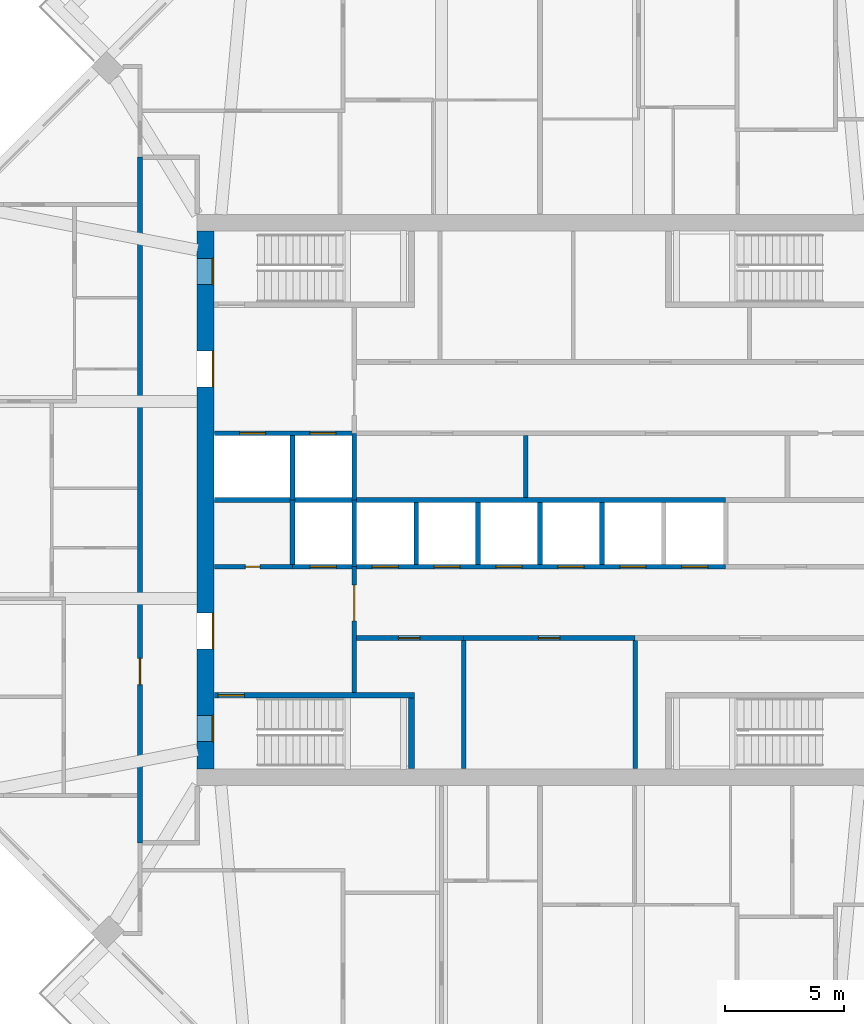
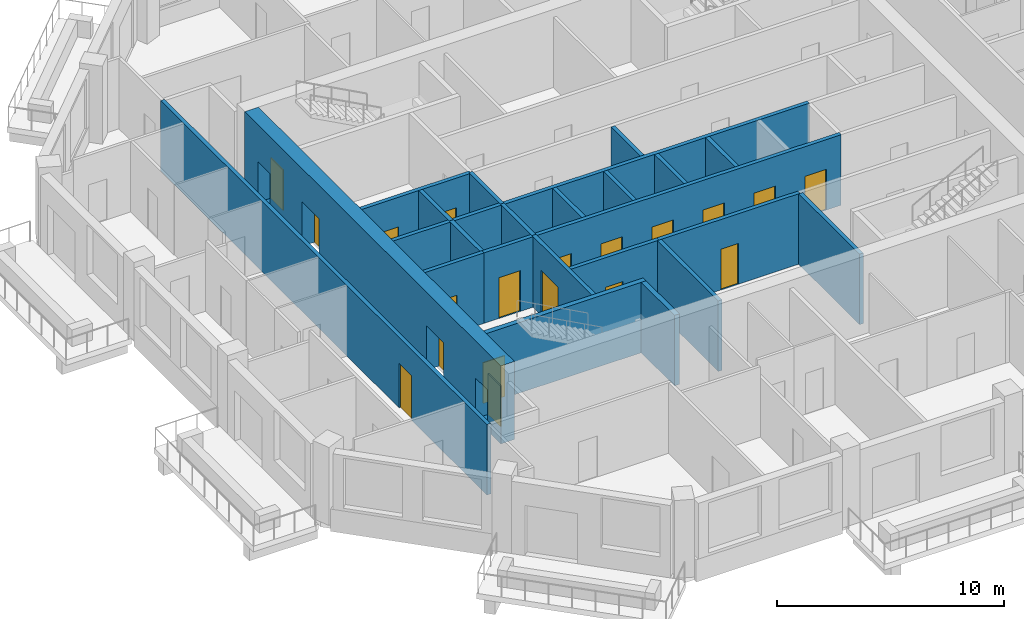
# One storey, part 4 of 12: 22 walls, 19 doors, 19 openings.
"""IFC4 building model written with IfcOpenShell, lengths in metres."""

import ifcopenshell
import ifcopenshell.guid

model = None  # the IFC model being written
_history = None  # IfcOwnerHistory: only IFC2X3 demands one
_inside = {}  # id of a spatial element -> (the spatial element, [elements in it])
_under = {}  # id of a project, library or spatial element -> (it, [spatial elements below it])
_declared = {}  # id of a project -> (the project, [libraries it declares])
_typed = {}  # id of a type object -> (the type object, [elements of that type])
_made_of = {}  # id of a material, layer set ... -> (it, [elements and type objects made of it])


def new_model(schema):
    """Start an empty IFC model of exactly this schema.

    Asked for "IFC4X3", IfcOpenShell would pick the latest addendum, in which some entities
    have other attributes; the version numbers below select the first issue.
    IFC2X3 requires an IfcOwnerHistory on every rooted entity: one is made here for all.
    """
    global model, _history
    if schema == "IFC4X3":
        model = ifcopenshell.file(schema_version=(4, 3, 0, 0))
    else:
        model = ifcopenshell.file(schema=schema)
    _inside.clear()
    _under.clear()
    _declared.clear()
    _typed.clear()
    _made_of.clear()
    _history = None
    if model.schema == "IFC2X3":
        org = make("IfcOrganization", Name="unknown")
        user = make(
            "IfcPersonAndOrganization",
            ThePerson=make("IfcPerson", FamilyName="unknown"),
            TheOrganization=org,
        )
        app = make(
            "IfcApplication",
            ApplicationDeveloper=org,
            Version="unknown",
            ApplicationFullName="unknown",
            ApplicationIdentifier="unknown",
        )
        _history = make(
            "IfcOwnerHistory",
            OwningUser=user,
            OwningApplication=app,
            ChangeAction="ADDED",
            CreationDate=0,
        )
    return model


def make(cls, **values):
    """One entity of the class cls with the attributes given. An attribute that is None is left unset."""
    return model.create_entity(
        cls, **{name: value for name, value in values.items() if value is not None}
    )


def rooted(cls, **values):
    """An entity with a GlobalId (a new one), such as an element, a storey or a relation."""
    return make(cls, GlobalId=ifcopenshell.guid.new(), OwnerHistory=_history, **values)


def si_unit(unit_type, name, prefix=None):
    """IfcSIUnit, for example si_unit("LENGTHUNIT", "METRE", prefix="MILLI")."""
    return make("IfcSIUnit", UnitType=unit_type, Prefix=prefix, Name=name)


def assignment(units):
    """IfcUnitAssignment: the units of a project."""
    return None if units is None else make("IfcUnitAssignment", Units=units)


def point(xyz):
    """IfcCartesianPoint."""
    return None if xyz is None else make("IfcCartesianPoint", Coordinates=xyz)


def direction(xyz):
    """IfcDirection."""
    return None if xyz is None else make("IfcDirection", DirectionRatios=xyz)


def frame(location, z_axis=None, x_axis=None):
    """IfcAxis2Placement3D, a coordinate frame: its origin and axes. An axis left out is left unset."""
    return make(
        "IfcAxis2Placement3D",
        Location=point(location),
        Axis=direction(z_axis),
        RefDirection=direction(x_axis),
    )


def frame_2d(location, x_axis=None):
    """IfcAxis2Placement2D, a coordinate frame in the plane: its origin and x axis."""
    return make(
        "IfcAxis2Placement2D", Location=point(location), RefDirection=direction(x_axis)
    )


def origin():
    """The frame at (0, 0, 0) with its axes left unset."""
    return frame((0.0, 0.0, 0.0))


def place(relative_to, where):
    """IfcLocalPlacement: puts the frame where relative to a parent placement (None: the world)."""
    return make(
        "IfcLocalPlacement", PlacementRelTo=relative_to, RelativePlacement=where
    )


def context(
    kind, dimensions, precision=None, world=None, true_north=None, identifier=None
):
    """IfcGeometricRepresentationContext, for example the 3D "Model" context."""
    return make(
        "IfcGeometricRepresentationContext",
        ContextIdentifier=identifier,
        ContextType=kind,
        CoordinateSpaceDimension=dimensions,
        Precision=precision,
        WorldCoordinateSystem=world,
        TrueNorth=true_north,
    )


def subcontext(parent, identifier, kind, view, scale=None):
    """IfcGeometricRepresentationSubContext, for example "Body" below "Model"."""
    return make(
        "IfcGeometricRepresentationSubContext",
        ContextIdentifier=identifier,
        ContextType=kind,
        ParentContext=parent,
        TargetScale=scale,
        TargetView=view,
    )


def project(units=None, contexts=None):
    """IfcProject with its units and contexts."""
    return rooted(
        "IfcProject",
        Name="project",
        RepresentationContexts=contexts,
        UnitsInContext=assignment(units),
    )


def spatial(cls, under=None, at=None, **own):
    """A site, building, storey or space (cls), placed at a placement, below another one or the project."""
    s = rooted(cls, ObjectPlacement=at, **own)
    if under is not None:
        _under.setdefault(under.id(), (under, []))[1].append(s)
    return s


def profile(cls, at=None, kind="AREA", **sizes):
    """A parametric profile (cls). Its sizes go by their IFC names, for example OverallWidth=200.0."""
    return make(cls, ProfileType=kind, Position=at, **sizes)


def rectangle(**sizes):
    """IfcRectangleProfileDef."""
    return profile("IfcRectangleProfileDef", **sizes)


def extrude(swept, where, along, depth):
    """IfcExtrudedAreaSolid: the profile swept, set in the frame where, extruded along a direction by depth."""
    return make(
        "IfcExtrudedAreaSolid",
        SweptArea=swept,
        Position=where,
        ExtrudedDirection=direction(along),
        Depth=depth,
    )


def shape(context_of_items, identifier, shape_type, items):
    """IfcShapeRepresentation: the items that make up one representation, for example the "Body"."""
    return make(
        "IfcShapeRepresentation",
        ContextOfItems=context_of_items,
        RepresentationIdentifier=identifier,
        RepresentationType=shape_type,
        Items=items,
    )


def material(Name=None, Category=None):
    """IfcMaterial."""
    return make("IfcMaterial", Name=Name, Category=Category)


def layer(
    of_material, thickness, ventilated=None, Name=None, Category=None, Priority=None
):
    """IfcMaterialLayer: one layer of a wall or slab, of a material (None: an air gap)."""
    return make(
        "IfcMaterialLayer",
        Material=of_material,
        LayerThickness=thickness,
        IsVentilated=ventilated,
        Name=Name,
        Category=Category,
        Priority=Priority,
    )


def layer_set(layers, Name=None):
    """IfcMaterialLayerSet."""
    return make("IfcMaterialLayerSet", MaterialLayers=layers, LayerSetName=Name)


def made_of(thing, what):
    """Note that an element or type object is made of a material, layer set ...; save() writes the relation."""
    if what is not None:
        _made_of.setdefault(what.id(), (what, []))[1].append(thing)
    return thing


def type_object(cls, material=None, **own):
    """A type object (cls), such as IfcWallType, which elements share."""
    return made_of(rooted(cls, **own), material)


def element(
    cls,
    number,
    at=None,
    inside=None,
    cuts=None,
    type_object=None,
    material=None,
    context=None,
    identifier="Body",
    shape_type=None,
    held_by="IfcProductDefinitionShape",
    body=None,
    shapes=None,
    **own,
):
    """One element of the class cls, such as IfcWall. Its Tag is "e" and its number.

    at: its placement. inside: the storey or other place that contains it. cuts: it is an
    opening in that element (IfcRelVoidsElement). A single representation is given by context,
    identifier, shape_type and body (its items); several are given by shapes. held_by: the class
    of the entity that holds the representations. save() writes the other relations.
    """
    e = rooted(cls, Tag="e%d" % number, ObjectPlacement=at, **own)
    if body is not None:
        shapes = [shape(context, identifier, shape_type, body)]
    if shapes is not None:
        e.Representation = make(held_by, Representations=shapes)
    if inside is not None:
        _inside.setdefault(inside.id(), (inside, []))[1].append(e)
    if cuts is not None:
        rooted(
            "IfcRelVoidsElement", RelatingBuildingElement=cuts, RelatedOpeningElement=e
        )
    if type_object is not None:
        _typed.setdefault(type_object.id(), (type_object, []))[1].append(e)
    return made_of(e, material)


def fill(opening, filler):
    """IfcRelFillsElement: the door or window that sits in an opening."""
    return rooted(
        "IfcRelFillsElement",
        RelatingOpeningElement=opening,
        RelatedBuildingElement=filler,
    )


def aggregate(whole, parts):
    """IfcRelAggregates: a whole, such as a stair, and the parts it consists of."""
    return rooted("IfcRelAggregates", RelatingObject=whole, RelatedObjects=parts)


def save(model, path):
    """Write the relations noted so far, then the file.

    IfcRelAggregates (storeys below a building ...), IfcRelContainedInSpatialStructure (elements
    in a storey), IfcRelDefinesByType, IfcRelAssociatesMaterial and IfcRelDeclares: one each for
    every whole, place, type object, material and project.
    """
    for whole, parts in _under.values():
        aggregate(whole, parts)
    for where, things in _inside.values():
        rooted(
            "IfcRelContainedInSpatialStructure",
            RelatedElements=things,
            RelatingStructure=where,
        )
    for kind, things in _typed.values():
        rooted("IfcRelDefinesByType", RelatedObjects=things, RelatingType=kind)
    for what, things in _made_of.values():
        rooted("IfcRelAssociatesMaterial", RelatedObjects=things, RelatingMaterial=what)
    for by, libraries in _declared.values():
        rooted("IfcRelDeclares", RelatingContext=by, RelatedDefinitions=libraries)
    model.write(path)


model = new_model("IFC4")

# Units and contexts
model_context = context("Model", 3, precision=1e-05, world=origin(), true_north=direction((0.0, 1.0)))
body_context = subcontext(model_context, "Body", "Model", "MODEL_VIEW")
ifc_project = project(units=[si_unit("LENGTHUNIT", "METRE"), si_unit("AREAUNIT", "SQUARE_METRE"), si_unit("VOLUMEUNIT", "CUBIC_METRE"), si_unit("PLANEANGLEUNIT", "RADIAN"), si_unit("MASSUNIT", "GRAM", prefix="KILO")], contexts=[model_context])

# Site, building, storey
site_placement = place(None, origin())
site = spatial("IfcSite", under=ifc_project, at=site_placement, CompositionType="ELEMENT")
building_placement = place(site_placement, origin())
building = spatial("IfcBuilding", under=site, at=building_placement, Name="Msitu Wima Residences", CompositionType="ELEMENT")
storey_placement = place(building_placement, frame((0.0, 0.0, 200.10009765625)))
storey = spatial("IfcBuildingStorey", under=building, at=storey_placement, Name="L46", CompositionType="ELEMENT", Elevation=200.10009765625)

# Wall, openings, doors
ifc_material_1 = material(Name="Concrete C60/75", Category="concrete")
ifc_layer_1 = layer(ifc_material_1, 0.699951171875)
ifc_layer_set_1 = layer_set([ifc_layer_1], Name="Concrete C60/75")
wall_type_1 = type_object("IfcWallType", Name="Core wall CW700 C60/75", PredefinedType="SHEAR", material=ifc_layer_set_1)
wall_1_placement = place(storey_placement, frame((-14.050048828125, -11.300048828125, 0.0), z_axis=(0.0, 0.0, 1.0), x_axis=(0.0, 1.0, 0.0)))
wall_1 = element("IfcWall", 1, at=wall_1_placement, inside=storey, type_object=wall_type_1, Name="Core wall", PredefinedType="SHEAR", context=body_context, shape_type="SweptSolid", body=[
    extrude(rectangle(XDim=22.60009765625, YDim=0.699951171875, at=frame_2d((11.300048828125, 0.0))), origin(), (0.0, 0.0, 1.0), 4.199951171875),
])
opening_1_placement = place(wall_1_placement, frame((20.35009765625, 0.0, 0.0)))
opening_1 = element("IfcOpeningElement", 2, at=opening_1_placement, cuts=wall_1, Name="Opening D46.077", PredefinedType="OPENING", context=body_context, shape_type="SweptSolid", body=[
    extrude(rectangle(XDim=1.10009765625, YDim=2.199951171875, at=frame_2d((0.550048828125, 1.10009765625))), frame((0.0, 0.35986328125, 0.0), z_axis=(0.0, -1.0, 0.0), x_axis=(1.0, 0.0, 0.0)), (0.0, 0.0, 1.0), 0.719970703125),
])
opening_2_placement = place(wall_1_placement, frame((1.14990234375, 0.0, 0.0)))
opening_2 = element("IfcOpeningElement", 3, at=opening_2_placement, cuts=wall_1, Name="Opening D46.079", PredefinedType="OPENING", context=body_context, shape_type="SweptSolid", body=[
    extrude(rectangle(XDim=1.10009765625, YDim=2.199951171875, at=frame_2d((0.550048828125, 1.10009765625))), frame((0.0, 0.35986328125, 0.0), z_axis=(0.0, -1.0, 0.0), x_axis=(1.0, 0.0, 0.0)), (0.0, 0.0, 1.0), 0.719970703125),
])
opening_3_placement = place(wall_1_placement, frame((16.050048828125, 0.0, 0.0)))
opening_3 = element("IfcOpeningElement", 4, at=opening_3_placement, cuts=wall_1, Name="Opening D46.060", PredefinedType="OPENING", context=body_context, shape_type="SweptSolid", body=[
    extrude(rectangle(XDim=1.5, YDim=2.39990234375, at=frame_2d((0.75, 1.199951171875))), frame((0.0, 0.35986328125, 0.0), z_axis=(0.0, -1.0, 0.0), x_axis=(1.0, 0.0, 0.0)), (0.0, 0.0, 1.0), 0.719970703125),
])
opening_4_placement = place(wall_1_placement, frame((5.050048828125, 0.0, 0.0)))
opening_4 = element("IfcOpeningElement", 5, at=opening_4_placement, cuts=wall_1, Name="Opening D46.062", PredefinedType="OPENING", context=body_context, shape_type="SweptSolid", body=[
    extrude(rectangle(XDim=1.5, YDim=2.39990234375, at=frame_2d((0.75, 1.199951171875))), frame((0.0, 0.35986328125, 0.0), z_axis=(0.0, -1.0, 0.0), x_axis=(1.0, 0.0, 0.0)), (0.0, 0.0, 1.0), 0.719970703125),
])
ifc_material_2 = material(Name="Steel framed glazed door, fire resisting", Category="steel")
door_type_1 = type_object("IfcDoorType", Name="Lobby door D07 1500x2400", OperationType="DOUBLE_DOOR_SINGLE_SWING", PredefinedType="DOOR", material=ifc_material_2)
door_1_placement = place(opening_3_placement, origin())
door_1 = element("IfcDoor", 6, at=door_1_placement, inside=storey, type_object=door_type_1, Name="Lobby door", OperationType="DOUBLE_DOOR_SINGLE_SWING", OverallHeight=2.39990234375, OverallWidth=1.5, PredefinedType="DOOR", context=body_context, shape_type="SweptSolid", body=[
    extrude(rectangle(XDim=1.5, YDim=2.39990234375, at=frame_2d((0.75, 1.199951171875))), frame((0.0, -0.294921875, 0.0), z_axis=(0.0, -1.0, 0.0), x_axis=(1.0, 0.0, 0.0)), (0.0, 0.0, 1.0), 0.050048828125),
])
fill(opening_3, door_1)
door_2_placement = place(opening_4_placement, origin())
door_2 = element("IfcDoor", 7, at=door_2_placement, inside=storey, type_object=door_type_1, Name="Lobby door", OperationType="DOUBLE_DOOR_SINGLE_SWING", OverallHeight=2.39990234375, OverallWidth=1.5, PredefinedType="DOOR", context=body_context, shape_type="SweptSolid", body=[
    extrude(rectangle(XDim=1.5, YDim=2.39990234375, at=frame_2d((0.75, 1.199951171875))), frame((0.0, -0.294921875, 0.0), z_axis=(0.0, -1.0, 0.0), x_axis=(1.0, 0.0, 0.0)), (0.0, 0.0, 1.0), 0.050048828125),
])
fill(opening_4, door_2)
ifc_material_3 = material(Name="Steel door, fire resisting, panic bar", Category="steel")
door_type_2 = type_object("IfcDoorType", Name="Stair door D06 1100x2200", OperationType="SINGLE_SWING_LEFT", PredefinedType="DOOR", material=ifc_material_3)
door_3_placement = place(opening_1_placement, origin())
door_3 = element("IfcDoor", 8, at=door_3_placement, inside=storey, type_object=door_type_2, Name="Stair door", OperationType="SINGLE_SWING_RIGHT", OverallHeight=2.199951171875, OverallWidth=1.10009765625, PredefinedType="DOOR", context=body_context, shape_type="SweptSolid", body=[
    extrude(rectangle(XDim=1.10009765625, YDim=2.199951171875, at=frame_2d((0.550048828125, 1.10009765625))), frame((0.0, -0.294921875, 0.0), z_axis=(0.0, -1.0, 0.0), x_axis=(1.0, 0.0, 0.0)), (0.0, 0.0, 1.0), 0.050048828125),
])
fill(opening_1, door_3)
door_4_placement = place(opening_2_placement, origin())
door_4 = element("IfcDoor", 9, at=door_4_placement, inside=storey, type_object=door_type_2, Name="Stair door", OperationType="SINGLE_SWING_LEFT", OverallHeight=2.199951171875, OverallWidth=1.10009765625, PredefinedType="DOOR", context=body_context, shape_type="SweptSolid", body=[
    extrude(rectangle(XDim=1.10009765625, YDim=2.199951171875, at=frame_2d((0.550048828125, 1.10009765625))), frame((0.0, -0.294921875, 0.0), z_axis=(0.0, -1.0, 0.0), x_axis=(1.0, 0.0, 0.0)), (0.0, 0.0, 1.0), 0.050048828125),
])
fill(opening_2, door_4)

# Wall, opening, door
ifc_material_4 = material(Name="Plaster")
ifc_layer_2 = layer(ifc_material_4, 0.011962890625, Name="Plaster")
ifc_material_5 = material(Name="Concrete blockwork", Category="masonry")
ifc_layer_3 = layer(ifc_material_5, 0.176025390625, Name="Concrete blockwork")
ifc_layer_4 = layer(ifc_material_4, 0.011962890625, Name="Plaster")
ifc_layer_set_2 = layer_set([ifc_layer_2, ifc_layer_3, ifc_layer_4], Name="Concrete blockwork")
wall_type_2 = type_object("IfcWallType", Name="Corridor wall FW200", PredefinedType="PARTITIONING", material=ifc_layer_set_2)
wall_2_placement = place(storey_placement, frame((-16.800048828125, -14.39990234375, 0.0), z_axis=(0.0, 0.0, 1.0), x_axis=(0.0, 1.0, 0.0)))
wall_2 = element("IfcWall", 10, at=wall_2_placement, inside=storey, type_object=wall_type_2, Name="Corridor wall", PredefinedType="PARTITIONING", context=body_context, shape_type="SweptSolid", body=[
    extrude(rectangle(XDim=28.7998046875, YDim=0.199951171875, at=frame_2d((14.39990234375, 0.0))), origin(), (0.0, 0.0, 1.0), 3.7978515625),
])
opening_5_placement = place(wall_2_placement, frame((6.64990234375, 0.0, 0.0)))
opening_5 = element("IfcOpeningElement", 11, at=opening_5_placement, cuts=wall_2, Name="Opening D46.024", PredefinedType="OPENING", context=body_context, shape_type="SweptSolid", body=[
    extrude(rectangle(XDim=1.10009765625, YDim=2.39990234375, at=frame_2d((0.550048828125, 1.199951171875))), frame((0.0, 0.10986328125, 0.0), z_axis=(0.0, -1.0, 0.0), x_axis=(1.0, 0.0, 0.0)), (0.0, 0.0, 1.0), 0.219970703125),
])
ifc_material_6 = material(Name="Timber flush door, fire resisting, self-closing", Category="wood")
door_type_3 = type_object("IfcDoorType", Name="Flat entrance door D01 1100x2400", OperationType="SINGLE_SWING_LEFT", PredefinedType="DOOR", material=ifc_material_6)
door_5_placement = place(opening_5_placement, origin())
door_5 = element("IfcDoor", 12, at=door_5_placement, inside=storey, type_object=door_type_3, Name="Flat entrance door", OperationType="SINGLE_SWING_LEFT", OverallHeight=2.39990234375, OverallWidth=1.10009765625, PredefinedType="DOOR", context=body_context, shape_type="SweptSolid", body=[
    extrude(rectangle(XDim=1.10009765625, YDim=2.39990234375, at=frame_2d((0.550048828125, 1.199951171875))), frame((0.0, 0.02490234375, 0.0), z_axis=(0.0, -1.0, 0.0), x_axis=(1.0, 0.0, 0.0)), (0.0, 0.0, 1.0), 0.050048828125),
])
fill(opening_5, door_5)

wall_3_placement = place(storey_placement, frame((-7.800048828125, -8.074951171875, 0.0), z_axis=(0.0, 0.0, 1.0), x_axis=(0.0, 1.0, 0.0)))
wall_3 = element("IfcWall", 13, at=wall_3_placement, inside=storey, type_object=wall_type_2, Name="Corridor wall", PredefinedType="PARTITIONING", context=body_context, shape_type="SweptSolid", body=[
    extrude(rectangle(XDim=5.27490234375, YDim=0.199951171875, at=frame_2d((2.637451171875, 0.0))), origin(), (0.0, 0.0, 1.0), 3.7978515625),
])
opening_6_placement = place(wall_3_placement, frame((3.0, 0.0, 0.0)))
opening_6 = element("IfcOpeningElement", 14, at=opening_6_placement, cuts=wall_3, Name="Opening D46.063", PredefinedType="OPENING", context=body_context, shape_type="SweptSolid", body=[
    extrude(rectangle(XDim=1.5, YDim=2.39990234375, at=frame_2d((0.75, 1.199951171875))), frame((0.0, 0.10986328125, 0.0), z_axis=(0.0, -1.0, 0.0), x_axis=(1.0, 0.0, 0.0)), (0.0, 0.0, 1.0), 0.219970703125),
])
door_6_placement = place(opening_6_placement, origin())
door_6 = element("IfcDoor", 15, at=door_6_placement, inside=storey, type_object=door_type_1, Name="Lobby door", OperationType="DOUBLE_DOOR_SINGLE_SWING", OverallHeight=2.39990234375, OverallWidth=1.5, PredefinedType="DOOR", context=body_context, shape_type="SweptSolid", body=[
    extrude(rectangle(XDim=1.5, YDim=2.39990234375, at=frame_2d((0.75, 1.199951171875))), frame((0.0, 0.02490234375, 0.0), z_axis=(0.0, -1.0, 0.0), x_axis=(1.0, 0.0, 0.0)), (0.0, 0.0, 1.0), 0.050048828125),
])
fill(opening_6, door_6)

wall_4_placement = place(storey_placement, frame((-7.699951171875, -5.800048828125, 0.0), z_axis=(0.0, 0.0, 1.0), x_axis=(1.0, 0.0, 0.0)))
wall_4 = element("IfcWall", 16, at=wall_4_placement, inside=storey, type_object=wall_type_2, Name="Corridor wall", PredefinedType="PARTITIONING", context=body_context, shape_type="SweptSolid", body=[
    extrude(rectangle(XDim=4.47998046875, YDim=0.199951171875, at=frame_2d((2.239990234375, 0.0))), origin(), (0.0, 0.0, 1.0), 3.7978515625),
])
opening_7_placement = place(wall_4_placement, frame((1.75, 0.0, 0.0)))
opening_7 = element("IfcOpeningElement", 17, at=opening_7_placement, cuts=wall_4, Name="Opening D46.068", PredefinedType="OPENING", context=body_context, shape_type="SweptSolid", body=[
    extrude(rectangle(XDim=0.89990234375, YDim=2.199951171875, at=frame_2d((0.449951171875, 1.10009765625))), frame((0.0, 0.10986328125, 0.0), z_axis=(0.0, -1.0, 0.0), x_axis=(1.0, 0.0, 0.0)), (0.0, 0.0, 1.0), 0.219970703125),
])
ifc_material_7 = material(Name="Timber flush door", Category="wood")
door_type_4 = type_object("IfcDoorType", Name="Service door D05 900x2200", OperationType="SINGLE_SWING_LEFT", PredefinedType="DOOR", material=ifc_material_7)
door_7_placement = place(opening_7_placement, origin())
door_7 = element("IfcDoor", 18, at=door_7_placement, inside=storey, type_object=door_type_4, Name="Service door", OperationType="SINGLE_SWING_RIGHT", OverallHeight=2.199951171875, OverallWidth=0.89990234375, PredefinedType="DOOR", context=body_context, shape_type="SweptSolid", body=[
    extrude(rectangle(XDim=0.89990234375, YDim=2.199951171875, at=frame_2d((0.449951171875, 1.10009765625))), frame((0.0, 0.02490234375, 0.0), z_axis=(0.0, -1.0, 0.0), x_axis=(1.0, 0.0, 0.0)), (0.0, 0.0, 1.0), 0.050048828125),
])
fill(opening_7, door_7)

ifc_layer_5 = layer(ifc_material_4, 0.011962890625, Name="Plaster")
ifc_material_8 = material(Name="Reinforced concrete blockwork", Category="masonry")
ifc_layer_6 = layer(ifc_material_8, 0.176025390625, Name="Reinforced concrete blockwork")
ifc_layer_7 = layer(ifc_material_4, 0.011962890625, Name="Plaster")
ifc_layer_set_3 = layer_set([ifc_layer_5, ifc_layer_6, ifc_layer_7], Name="Reinforced concrete blockwork")
wall_type_3 = type_object("IfcWallType", Name="Plant and riser wall PL200", PredefinedType="PARTITIONING", material=ifc_layer_set_3)
wall_5_placement = place(storey_placement, frame((-13.669921875, -2.800048828125, 0.0), z_axis=(0.0, 0.0, 1.0), x_axis=(1.0, 0.0, 0.0)))
wall_5 = element("IfcWall", 19, at=wall_5_placement, inside=storey, type_object=wall_type_3, Name="Plant and riser wall", PredefinedType="PARTITIONING", context=body_context, shape_type="SweptSolid", body=[
    extrude(rectangle(XDim=3.27001953125, YDim=0.199951171875, at=frame_2d((1.635009765625, 0.0))), origin(), (0.0, 0.0, 1.0), 3.7978515625),
])
opening_8_placement = place(wall_5_placement, frame((1.300048828125, 0.0, 0.0)))
opening_8 = element("IfcOpeningElement", 20, at=opening_8_placement, cuts=wall_5, Name="Opening D46.076", PredefinedType="OPENING", context=body_context, shape_type="SweptSolid", body=[
    extrude(rectangle(XDim=0.60009765625, YDim=2.0, at=frame_2d((0.300048828125, 1.0))), frame((0.0, 0.10986328125, 0.0), z_axis=(0.0, -1.0, 0.0), x_axis=(1.0, 0.0, 0.0)), (0.0, 0.0, 1.0), 0.219970703125),
])
ifc_material_9 = material(Name="Steel access door, fire resisting", Category="steel")
door_type_5 = type_object("IfcDoorType", Name="Riser access door D08 600x2000", OperationType="SINGLE_SWING_LEFT", PredefinedType="DOOR", material=ifc_material_9)
door_8_placement = place(opening_8_placement, origin())
door_8 = element("IfcDoor", 21, at=door_8_placement, inside=storey, type_object=door_type_5, Name="Riser access door", OperationType="SINGLE_SWING_RIGHT", OverallHeight=2.0, OverallWidth=0.60009765625, PredefinedType="DOOR", context=body_context, shape_type="SweptSolid", body=[
    extrude(rectangle(XDim=0.60009765625, YDim=2.0, at=frame_2d((0.300048828125, 1.0))), frame((0.0, 0.02490234375, 0.0), z_axis=(0.0, -1.0, 0.0), x_axis=(1.0, 0.0, 0.0)), (0.0, 0.0, 1.0), 0.050048828125),
])
fill(opening_8, door_8)

wall_6_placement = place(storey_placement, frame((-3.219970703125, -5.800048828125, 0.0), z_axis=(0.0, 0.0, 1.0), x_axis=(1.0, 0.0, 0.0)))
wall_6 = element("IfcWall", 22, at=wall_6_placement, inside=storey, type_object=wall_type_3, Name="Plant and riser wall", PredefinedType="PARTITIONING", context=body_context, shape_type="SweptSolid", body=[
    extrude(rectangle(XDim=7.199951171875, YDim=0.199951171875, at=frame_2d((3.60009765625, 0.0))), origin(), (0.0, 0.0, 1.0), 3.7978515625),
])
opening_9_placement = place(wall_6_placement, frame((3.14990234375, 0.0, 0.0)))
opening_9 = element("IfcOpeningElement", 23, at=opening_9_placement, cuts=wall_6, Name="Opening D46.069", PredefinedType="OPENING", context=body_context, shape_type="SweptSolid", body=[
    extrude(rectangle(XDim=0.89990234375, YDim=2.199951171875, at=frame_2d((0.449951171875, 1.10009765625))), frame((0.0, 0.10986328125, 0.0), z_axis=(0.0, -1.0, 0.0), x_axis=(1.0, 0.0, 0.0)), (0.0, 0.0, 1.0), 0.219970703125),
])
door_9_placement = place(opening_9_placement, origin())
door_9 = element("IfcDoor", 24, at=door_9_placement, inside=storey, type_object=door_type_4, Name="Service door", OperationType="SINGLE_SWING_LEFT", OverallHeight=2.199951171875, OverallWidth=0.89990234375, PredefinedType="DOOR", context=body_context, shape_type="SweptSolid", body=[
    extrude(rectangle(XDim=0.89990234375, YDim=2.199951171875, at=frame_2d((0.449951171875, 1.10009765625))), frame((0.0, 0.02490234375, 0.0), z_axis=(0.0, -1.0, 0.0), x_axis=(1.0, 0.0, 0.0)), (0.0, 0.0, 1.0), 0.050048828125),
])
fill(opening_9, door_9)

# Walls
wall_7_placement = place(storey_placement, frame((-3.199951171875, -11.27001953125, 0.0), z_axis=(0.0, 0.0, 1.0), x_axis=(0.0, 1.0, 0.0)))
element("IfcWall", 25, at=wall_7_placement, inside=storey, type_object=wall_type_3, Name="Plant and riser wall", PredefinedType="PARTITIONING", context=body_context, shape_type="SweptSolid", body=[
    extrude(rectangle(XDim=5.3701171875, YDim=0.199951171875, at=frame_2d((2.68505859375, 0.0))), origin(), (0.0, 0.0, 1.0), 3.7978515625),
])
wall_8_placement = place(storey_placement, frame((-0.60009765625, 0.10009765625, 0.0), z_axis=(0.0, 0.0, 1.0), x_axis=(0.0, 1.0, 0.0)))
element("IfcWall", 26, at=wall_8_placement, inside=storey, type_object=wall_type_3, Name="Plant and riser wall", PredefinedType="PARTITIONING", context=body_context, shape_type="SweptSolid", body=[
    extrude(rectangle(XDim=2.599853515625, YDim=0.199951171875, at=frame_2d((1.2998046875, 0.0))), origin(), (0.0, 0.0, 1.0), 3.7978515625),
])
wall_9_placement = place(storey_placement, frame((4.0, -11.27001953125, 0.0), z_axis=(0.0, 0.0, 1.0), x_axis=(0.0, 1.0, 0.0)))
element("IfcWall", 27, at=wall_9_placement, inside=storey, type_object=wall_type_3, Name="Plant and riser wall", PredefinedType="PARTITIONING", context=body_context, shape_type="SweptSolid", body=[
    extrude(rectangle(XDim=5.3701171875, YDim=0.199951171875, at=frame_2d((2.68505859375, 0.0))), origin(), (0.0, 0.0, 1.0), 3.7978515625),
])
ifc_material_10 = material(Name="Fire-rated board")
ifc_layer_8 = layer(ifc_material_10, 0.02490234375, Name="Fire-rated board")
ifc_material_11 = material(Name="Light-gauge stud framing with mineral wool")
ifc_layer_9 = layer(ifc_material_11, 0.14990234375, Name="Light-gauge stud framing with mineral wool")
ifc_layer_10 = layer(ifc_material_10, 0.02490234375, Name="Fire-rated board")
ifc_layer_set_4 = layer_set([ifc_layer_8, ifc_layer_9, ifc_layer_10], Name="Light-gauge stud framing with mineral wool")
wall_type_4 = type_object("IfcWallType", Name="Shaft wall SH200", PredefinedType="PARTITIONING", material=ifc_layer_set_4)
wall_10_placement = place(storey_placement, frame((-13.669921875, 0.0, 0.0), z_axis=(0.0, 0.0, 1.0), x_axis=(1.0, 0.0, 0.0)))
element("IfcWall", 28, at=wall_10_placement, inside=storey, type_object=wall_type_4, Name="Shaft wall", PredefinedType="PARTITIONING", context=body_context, shape_type="SweptSolid", body=[
    extrude(rectangle(XDim=21.469970703125, YDim=0.199951171875, at=frame_2d((10.73486328125, 0.0))), origin(), (0.0, 0.0, 1.0), 3.7978515625),
])

# Wall, openings, doors
wall_11_placement = place(storey_placement, frame((-13.669921875, 2.800048828125, 0.0), z_axis=(0.0, 0.0, 1.0), x_axis=(1.0, 0.0, 0.0)))
wall_11 = element("IfcWall", 29, at=wall_11_placement, inside=storey, type_object=wall_type_4, Name="Shaft wall", PredefinedType="PARTITIONING", context=body_context, shape_type="SweptSolid", body=[
    extrude(rectangle(XDim=5.849853515625, YDim=0.199951171875, at=frame_2d((2.9248046875, 0.0))), origin(), (0.0, 0.0, 1.0), 3.7978515625),
])
opening_10_placement = place(wall_11_placement, frame((1.050048828125, 0.0, 0.0)))
opening_10 = element("IfcOpeningElement", 30, at=opening_10_placement, cuts=wall_11, Name="Opening LD", PredefinedType="OPENING", context=body_context, shape_type="SweptSolid", body=[
    extrude(rectangle(XDim=1.10009765625, YDim=2.199951171875, at=frame_2d((0.550048828125, 1.10009765625))), frame((0.0, 0.10986328125, 0.0), z_axis=(0.0, -1.0, 0.0), x_axis=(1.0, 0.0, 0.0)), (0.0, 0.0, 1.0), 0.219970703125),
])
opening_11_placement = place(wall_11_placement, frame((4.0, 0.0, 0.0)))
opening_11 = element("IfcOpeningElement", 31, at=opening_11_placement, cuts=wall_11, Name="Opening LD", PredefinedType="OPENING", context=body_context, shape_type="SweptSolid", body=[
    extrude(rectangle(XDim=1.10009765625, YDim=2.199951171875, at=frame_2d((0.550048828125, 1.10009765625))), frame((0.0, 0.10986328125, 0.0), z_axis=(0.0, -1.0, 0.0), x_axis=(1.0, 0.0, 0.0)), (0.0, 0.0, 1.0), 0.219970703125),
])
ifc_material_12 = material(Name="Stainless steel centre-opening landing door, rated", Category="steel")
door_type_6 = type_object("IfcDoorType", Name="Lift landing door LD 1100x2200", OperationType="DOUBLE_DOOR_SLIDING", PredefinedType="DOOR", material=ifc_material_12)
door_10_placement = place(opening_10_placement, origin())
door_10 = element("IfcDoor", 32, at=door_10_placement, inside=storey, type_object=door_type_6, Name="Lift landing door LD1", OperationType="DOUBLE_DOOR_SLIDING", OverallHeight=2.199951171875, OverallWidth=1.10009765625, PredefinedType="DOOR", context=body_context, shape_type="SweptSolid", body=[
    extrude(rectangle(XDim=1.10009765625, YDim=2.199951171875, at=frame_2d((0.550048828125, 1.10009765625))), frame((0.0, 0.02490234375, 0.0), z_axis=(0.0, -1.0, 0.0), x_axis=(1.0, 0.0, 0.0)), (0.0, 0.0, 1.0), 0.050048828125),
])
fill(opening_10, door_10)
door_11_placement = place(opening_11_placement, origin())
door_11 = element("IfcDoor", 33, at=door_11_placement, inside=storey, type_object=door_type_6, Name="Lift landing door LD2", OperationType="DOUBLE_DOOR_SLIDING", OverallHeight=2.199951171875, OverallWidth=1.10009765625, PredefinedType="DOOR", context=body_context, shape_type="SweptSolid", body=[
    extrude(rectangle(XDim=1.10009765625, YDim=2.199951171875, at=frame_2d((0.550048828125, 1.10009765625))), frame((0.0, 0.02490234375, 0.0), z_axis=(0.0, -1.0, 0.0), x_axis=(1.0, 0.0, 0.0)), (0.0, 0.0, 1.0), 0.050048828125),
])
fill(opening_11, door_11)

# Wall
wall_12_placement = place(storey_placement, frame((-10.39990234375, -2.699951171875, 0.0), z_axis=(0.0, 0.0, 1.0), x_axis=(0.0, 1.0, 0.0)))
element("IfcWall", 34, at=wall_12_placement, inside=storey, type_object=wall_type_4, Name="Shaft wall", PredefinedType="PARTITIONING", context=body_context, shape_type="SweptSolid", body=[
    extrude(rectangle(XDim=2.699951171875, YDim=0.199951171875, at=frame_2d((1.35009765625, 0.0))), origin(), (0.0, 0.0, 1.0), 3.7978515625),
])

# Wall, openings, doors
wall_13_placement = place(storey_placement, frame((-10.39990234375, -2.800048828125, 0.0), z_axis=(0.0, 0.0, 1.0), x_axis=(1.0, 0.0, 0.0)))
wall_13 = element("IfcWall", 35, at=wall_13_placement, inside=storey, type_object=wall_type_4, Name="Shaft wall", PredefinedType="PARTITIONING", context=body_context, shape_type="SweptSolid", body=[
    extrude(rectangle(XDim=18.199951171875, YDim=0.199951171875, at=frame_2d((9.10009765625, 0.0))), origin(), (0.0, 0.0, 1.0), 3.7978515625),
])
opening_12_placement = place(wall_13_placement, frame((0.75, 0.0, 0.0)))
opening_12 = element("IfcOpeningElement", 36, at=opening_12_placement, cuts=wall_13, Name="Opening LD", PredefinedType="OPENING", context=body_context, shape_type="SweptSolid", body=[
    extrude(rectangle(XDim=1.10009765625, YDim=2.199951171875, at=frame_2d((0.550048828125, 1.10009765625))), frame((0.0, 0.10986328125, 0.0), z_axis=(0.0, -1.0, 0.0), x_axis=(1.0, 0.0, 0.0)), (0.0, 0.0, 1.0), 0.219970703125),
])
opening_13_placement = place(wall_13_placement, frame((3.35009765625, 0.0, 0.0)))
opening_13 = element("IfcOpeningElement", 37, at=opening_13_placement, cuts=wall_13, Name="Opening LD", PredefinedType="OPENING", context=body_context, shape_type="SweptSolid", body=[
    extrude(rectangle(XDim=1.10009765625, YDim=2.199951171875, at=frame_2d((0.550048828125, 1.10009765625))), frame((0.0, 0.10986328125, 0.0), z_axis=(0.0, -1.0, 0.0), x_axis=(1.0, 0.0, 0.0)), (0.0, 0.0, 1.0), 0.219970703125),
])
opening_14_placement = place(wall_13_placement, frame((5.949951171875, 0.0, 0.0)))
opening_14 = element("IfcOpeningElement", 38, at=opening_14_placement, cuts=wall_13, Name="Opening LD", PredefinedType="OPENING", context=body_context, shape_type="SweptSolid", body=[
    extrude(rectangle(XDim=1.10009765625, YDim=2.199951171875, at=frame_2d((0.550048828125, 1.10009765625))), frame((0.0, 0.10986328125, 0.0), z_axis=(0.0, -1.0, 0.0), x_axis=(1.0, 0.0, 0.0)), (0.0, 0.0, 1.0), 0.219970703125),
])
opening_15_placement = place(wall_13_placement, frame((8.550048828125, 0.0, 0.0)))
opening_15 = element("IfcOpeningElement", 39, at=opening_15_placement, cuts=wall_13, Name="Opening LD", PredefinedType="OPENING", context=body_context, shape_type="SweptSolid", body=[
    extrude(rectangle(XDim=1.10009765625, YDim=2.199951171875, at=frame_2d((0.550048828125, 1.10009765625))), frame((0.0, 0.10986328125, 0.0), z_axis=(0.0, -1.0, 0.0), x_axis=(1.0, 0.0, 0.0)), (0.0, 0.0, 1.0), 0.219970703125),
])
opening_16_placement = place(wall_13_placement, frame((11.14990234375, 0.0, 0.0)))
opening_16 = element("IfcOpeningElement", 40, at=opening_16_placement, cuts=wall_13, Name="Opening LD", PredefinedType="OPENING", context=body_context, shape_type="SweptSolid", body=[
    extrude(rectangle(XDim=1.10009765625, YDim=2.199951171875, at=frame_2d((0.550048828125, 1.10009765625))), frame((0.0, 0.10986328125, 0.0), z_axis=(0.0, -1.0, 0.0), x_axis=(1.0, 0.0, 0.0)), (0.0, 0.0, 1.0), 0.219970703125),
])
opening_17_placement = place(wall_13_placement, frame((13.75, 0.0, 0.0)))
opening_17 = element("IfcOpeningElement", 41, at=opening_17_placement, cuts=wall_13, Name="Opening LD", PredefinedType="OPENING", context=body_context, shape_type="SweptSolid", body=[
    extrude(rectangle(XDim=1.10009765625, YDim=2.199951171875, at=frame_2d((0.550048828125, 1.10009765625))), frame((0.0, 0.10986328125, 0.0), z_axis=(0.0, -1.0, 0.0), x_axis=(1.0, 0.0, 0.0)), (0.0, 0.0, 1.0), 0.219970703125),
])
opening_18_placement = place(wall_13_placement, frame((16.35009765625, 0.0, 0.0)))
opening_18 = element("IfcOpeningElement", 42, at=opening_18_placement, cuts=wall_13, Name="Opening LD", PredefinedType="OPENING", context=body_context, shape_type="SweptSolid", body=[
    extrude(rectangle(XDim=1.10009765625, YDim=2.199951171875, at=frame_2d((0.550048828125, 1.10009765625))), frame((0.0, 0.10986328125, 0.0), z_axis=(0.0, -1.0, 0.0), x_axis=(1.0, 0.0, 0.0)), (0.0, 0.0, 1.0), 0.219970703125),
])
door_12_placement = place(opening_12_placement, origin())
door_12 = element("IfcDoor", 43, at=door_12_placement, inside=storey, type_object=door_type_6, Name="Lift landing door LD3", OperationType="DOUBLE_DOOR_SLIDING", OverallHeight=2.199951171875, OverallWidth=1.10009765625, PredefinedType="DOOR", context=body_context, shape_type="SweptSolid", body=[
    extrude(rectangle(XDim=1.10009765625, YDim=2.199951171875, at=frame_2d((0.550048828125, 1.10009765625))), frame((0.0, 0.02490234375, 0.0), z_axis=(0.0, -1.0, 0.0), x_axis=(1.0, 0.0, 0.0)), (0.0, 0.0, 1.0), 0.050048828125),
])
fill(opening_12, door_12)
door_13_placement = place(opening_13_placement, origin())
door_13 = element("IfcDoor", 44, at=door_13_placement, inside=storey, type_object=door_type_6, Name="Lift landing door LD5", OperationType="DOUBLE_DOOR_SLIDING", OverallHeight=2.199951171875, OverallWidth=1.10009765625, PredefinedType="DOOR", context=body_context, shape_type="SweptSolid", body=[
    extrude(rectangle(XDim=1.10009765625, YDim=2.199951171875, at=frame_2d((0.550048828125, 1.10009765625))), frame((0.0, 0.02490234375, 0.0), z_axis=(0.0, -1.0, 0.0), x_axis=(1.0, 0.0, 0.0)), (0.0, 0.0, 1.0), 0.050048828125),
])
fill(opening_13, door_13)
door_14_placement = place(opening_14_placement, origin())
door_14 = element("IfcDoor", 45, at=door_14_placement, inside=storey, type_object=door_type_6, Name="Lift landing door LD7", OperationType="DOUBLE_DOOR_SLIDING", OverallHeight=2.199951171875, OverallWidth=1.10009765625, PredefinedType="DOOR", context=body_context, shape_type="SweptSolid", body=[
    extrude(rectangle(XDim=1.10009765625, YDim=2.199951171875, at=frame_2d((0.550048828125, 1.10009765625))), frame((0.0, 0.02490234375, 0.0), z_axis=(0.0, -1.0, 0.0), x_axis=(1.0, 0.0, 0.0)), (0.0, 0.0, 1.0), 0.050048828125),
])
fill(opening_14, door_14)
door_15_placement = place(opening_15_placement, origin())
door_15 = element("IfcDoor", 46, at=door_15_placement, inside=storey, type_object=door_type_6, Name="Lift landing door LD9", OperationType="DOUBLE_DOOR_SLIDING", OverallHeight=2.199951171875, OverallWidth=1.10009765625, PredefinedType="DOOR", context=body_context, shape_type="SweptSolid", body=[
    extrude(rectangle(XDim=1.10009765625, YDim=2.199951171875, at=frame_2d((0.550048828125, 1.10009765625))), frame((0.0, 0.02490234375, 0.0), z_axis=(0.0, -1.0, 0.0), x_axis=(1.0, 0.0, 0.0)), (0.0, 0.0, 1.0), 0.050048828125),
])
fill(opening_15, door_15)
door_16_placement = place(opening_16_placement, origin())
door_16 = element("IfcDoor", 47, at=door_16_placement, inside=storey, type_object=door_type_6, Name="Lift landing door LD11", OperationType="DOUBLE_DOOR_SLIDING", OverallHeight=2.199951171875, OverallWidth=1.10009765625, PredefinedType="DOOR", context=body_context, shape_type="SweptSolid", body=[
    extrude(rectangle(XDim=1.10009765625, YDim=2.199951171875, at=frame_2d((0.550048828125, 1.10009765625))), frame((0.0, 0.02490234375, 0.0), z_axis=(0.0, -1.0, 0.0), x_axis=(1.0, 0.0, 0.0)), (0.0, 0.0, 1.0), 0.050048828125),
])
fill(opening_16, door_16)
door_17_placement = place(opening_17_placement, origin())
door_17 = element("IfcDoor", 48, at=door_17_placement, inside=storey, type_object=door_type_6, Name="Lift landing door LD13", OperationType="DOUBLE_DOOR_SLIDING", OverallHeight=2.199951171875, OverallWidth=1.10009765625, PredefinedType="DOOR", context=body_context, shape_type="SweptSolid", body=[
    extrude(rectangle(XDim=1.10009765625, YDim=2.199951171875, at=frame_2d((0.550048828125, 1.10009765625))), frame((0.0, 0.02490234375, 0.0), z_axis=(0.0, -1.0, 0.0), x_axis=(1.0, 0.0, 0.0)), (0.0, 0.0, 1.0), 0.050048828125),
])
fill(opening_17, door_17)
door_18_placement = place(opening_18_placement, origin())
door_18 = element("IfcDoor", 49, at=door_18_placement, inside=storey, type_object=door_type_6, Name="Lift landing door LD15", OperationType="DOUBLE_DOOR_SLIDING", OverallHeight=2.199951171875, OverallWidth=1.10009765625, PredefinedType="DOOR", context=body_context, shape_type="SweptSolid", body=[
    extrude(rectangle(XDim=1.10009765625, YDim=2.199951171875, at=frame_2d((0.550048828125, 1.10009765625))), frame((0.0, 0.02490234375, 0.0), z_axis=(0.0, -1.0, 0.0), x_axis=(1.0, 0.0, 0.0)), (0.0, 0.0, 1.0), 0.050048828125),
])
fill(opening_18, door_18)

# Walls
wall_14_placement = place(storey_placement, frame((-10.39990234375, 0.0, 0.0), z_axis=(0.0, 0.0, 1.0), x_axis=(0.0, 1.0, 0.0)))
element("IfcWall", 50, at=wall_14_placement, inside=storey, type_object=wall_type_4, Name="Shaft wall", PredefinedType="PARTITIONING", context=body_context, shape_type="SweptSolid", body=[
    extrude(rectangle(XDim=2.699951171875, YDim=0.199951171875, at=frame_2d((1.35009765625, 0.0))), origin(), (0.0, 0.0, 1.0), 3.7978515625),
])
for number, where, z_axis, x_axis, name in (
    (51, (-7.800048828125, -2.800048828125, 0.0), (0.0, 0.0, 1.0), (0.0, 1.0, 0.0), "Shaft wall"),
    (52, (-7.800048828125, 0.0, 0.0), (0.0, 0.0, 1.0), (0.0, 1.0, 0.0), "Shaft wall"),
):
    element("IfcWall", number, at=place(storey_placement, frame(where, z_axis=z_axis, x_axis=x_axis)), inside=storey, type_object=wall_type_4, Name=name, PredefinedType="PARTITIONING", context=body_context, shape_type="SweptSolid", body=[
        extrude(rectangle(XDim=2.800048828125, YDim=0.199951171875, at=frame_2d((1.39990234375, 0.0))), origin(), (0.0, 0.0, 1.0), 3.7978515625),
    ])
for number, where, z_axis, x_axis, name in (
    (53, (-5.199951171875, -2.699951171875, 0.0), (0.0, 0.0, 1.0), (0.0, 1.0, 0.0), "Shaft wall"),
    (54, (-2.60009765625, -2.699951171875, 0.0), (0.0, 0.0, 1.0), (0.0, 1.0, 0.0), "Shaft wall"),
    (55, (0.0, -2.699951171875, 0.0), (0.0, 0.0, 1.0), (0.0, 1.0, 0.0), "Shaft wall"),
    (56, (2.60009765625, -2.699951171875, 0.0), (0.0, 0.0, 1.0), (0.0, 1.0, 0.0), "Shaft wall"),
):
    element("IfcWall", number, at=place(storey_placement, frame(where, z_axis=z_axis, x_axis=x_axis)), inside=storey, type_object=wall_type_4, Name=name, PredefinedType="PARTITIONING", context=body_context, shape_type="SweptSolid", body=[
        extrude(rectangle(XDim=2.599853515625, YDim=0.199951171875, at=frame_2d((1.2998046875, 0.0))), origin(), (0.0, 0.0, 1.0), 3.7978515625),
    ])

# Wall, opening, door
ifc_material_13 = material(Name="Concrete C50/60", Category="concrete")
ifc_layer_11 = layer(ifc_material_13, 0.25)
ifc_layer_set_5 = layer_set([ifc_layer_11], Name="Concrete C50/60")
wall_type_5 = type_object("IfcWallType", Name="Stair enclosure wall SW250", PredefinedType="SHEAR", material=ifc_layer_set_5)
wall_15_placement = place(storey_placement, frame((-13.669921875, -8.199951171875, 0.0), z_axis=(0.0, 0.0, 1.0), x_axis=(1.0, 0.0, 0.0)))
wall_15 = element("IfcWall", 57, at=wall_15_placement, inside=storey, type_object=wall_type_5, Name="Stair enclosure wall", PredefinedType="SHEAR", context=body_context, shape_type="SweptSolid", body=[
    extrude(rectangle(XDim=8.39501953125, YDim=0.25, at=frame_2d((4.197509765625, 0.0))), origin(), (0.0, 0.0, 1.0), 3.7978515625),
])
opening_19_placement = place(wall_15_placement, frame((0.14990234375, 0.0, 0.0)))
opening_19 = element("IfcOpeningElement", 58, at=opening_19_placement, cuts=wall_15, Name="Opening D46.080", PredefinedType="OPENING", context=body_context, shape_type="SweptSolid", body=[
    extrude(rectangle(XDim=1.10009765625, YDim=2.199951171875, at=frame_2d((0.550048828125, 1.10009765625))), frame((0.0, 0.135009765625, 0.0), z_axis=(0.0, -1.0, 0.0), x_axis=(1.0, 0.0, 0.0)), (0.0, 0.0, 1.0), 0.27001953125),
])
door_19_placement = place(opening_19_placement, origin())
door_19 = element("IfcDoor", 59, at=door_19_placement, inside=storey, type_object=door_type_2, Name="Stair door", OperationType="SINGLE_SWING_RIGHT", OverallHeight=2.199951171875, OverallWidth=1.10009765625, PredefinedType="DOOR", context=body_context, shape_type="SweptSolid", body=[
    extrude(rectangle(XDim=1.10009765625, YDim=2.199951171875, at=frame_2d((0.550048828125, 1.10009765625))), frame((0.0, 0.02490234375, 0.0), z_axis=(0.0, -1.0, 0.0), x_axis=(1.0, 0.0, 0.0)), (0.0, 0.0, 1.0), 0.050048828125),
])
fill(opening_19, door_19)

# Wall
wall_16_placement = place(storey_placement, frame((-5.39990234375, -11.27001953125, 0.0), z_axis=(0.0, 0.0, 1.0), x_axis=(0.0, 1.0, 0.0)))
element("IfcWall", 60, at=wall_16_placement, inside=storey, type_object=wall_type_5, Name="Stair enclosure wall", PredefinedType="SHEAR", context=body_context, shape_type="SweptSolid", body=[
    extrude(rectangle(XDim=2.945068359375, YDim=0.25, at=frame_2d((1.47265625, 0.0))), origin(), (0.0, 0.0, 1.0), 3.7978515625),
])

save(model, "model.ifc")
